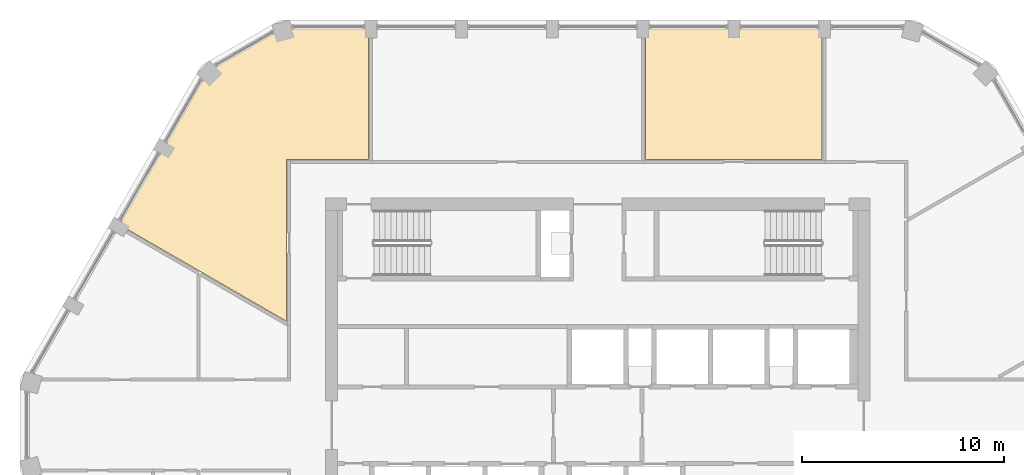
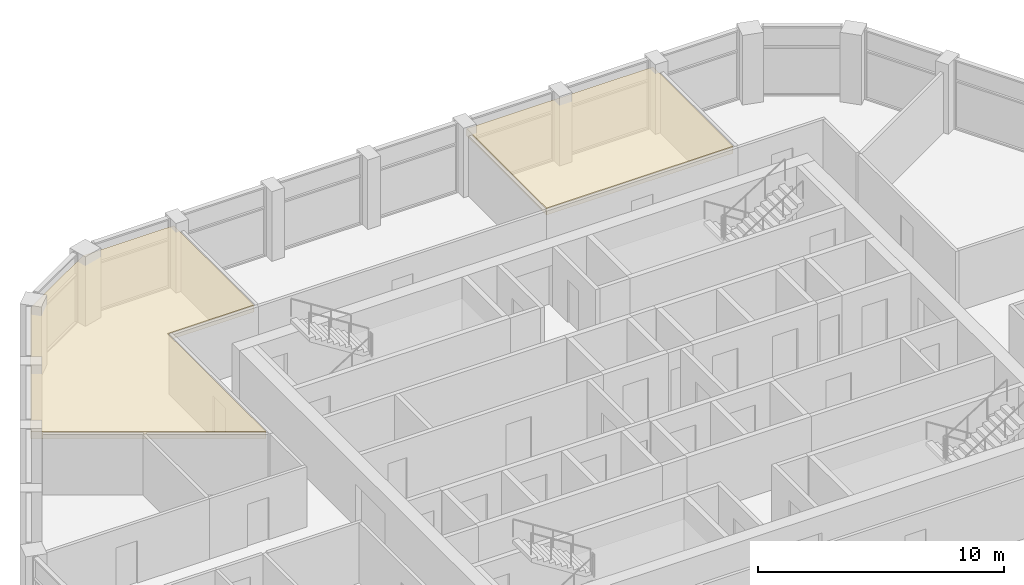
# One storey, part 15 of 15: 2 coverings.
"""IFC4 building model written with IfcOpenShell, lengths in metres."""

from ifc_helpers import new_model, si_unit, direction, frame, origin, place, context, subcontext, project, spatial, polyline, outline, extrude, material, layer, layer_set, type_object, element, save


model = new_model("IFC4")

# Units and contexts
model_context = context("Model", 3, precision=1e-05, world=origin(), true_north=direction((0.0, 1.0)))
body_context = subcontext(model_context, "Body", "Model", "MODEL_VIEW")
ifc_project = project(units=[si_unit("LENGTHUNIT", "METRE"), si_unit("AREAUNIT", "SQUARE_METRE"), si_unit("VOLUMEUNIT", "CUBIC_METRE"), si_unit("PLANEANGLEUNIT", "RADIAN"), si_unit("MASSUNIT", "GRAM", prefix="KILO")], contexts=[model_context])

# Site, building, storey
site_placement = place(None, origin())
site = spatial("IfcSite", under=ifc_project, at=site_placement, CompositionType="ELEMENT")
building_placement = place(site_placement, origin())
building = spatial("IfcBuilding", under=site, at=building_placement, Name="Dhurran Vertical Campus", CompositionType="ELEMENT")
storey_placement = place(building_placement, frame((0.0, 0.0, 306.0)))
storey = spatial("IfcBuildingStorey", under=building, at=storey_placement, Name="L76", CompositionType="ELEMENT", Elevation=306.0)

# Coverings
ifc_material = material(Name="Mineral fibre ceiling tiles on suspended grid")
ifc_layer = layer(ifc_material, 0.35009765625)
ifc_layer_set = layer_set([ifc_layer], Name="Mineral fibre ceiling tiles on suspended grid")
covering_type = type_object("IfcCoveringType", Name="fl-CE-350 suspended ceiling", PredefinedType="CEILING", material=ifc_layer_set)
covering_1_placement = place(storey_placement, frame((0.0, 0.0, 2.64990234375)))
element("IfcCovering", 1, at=covering_1_placement, inside=storey, type_object=covering_type, Name="Ceiling 76-08", PredefinedType="CEILING", context=body_context, shape_type="SweptSolid", body=[
    extrude(outline(polyline([(-23.722900390625, 9.93798828125), (-19.339111328125, 17.531005859375), (-15.637939453125, 19.66796875), (-11.3701171875, 19.66796875), (-11.3701171875, 13.169921875), (-15.419921875, 13.169921875), (-15.419921875, 5.14404296875), (-23.722900390625, 9.93798828125)])), origin(), (0.0, 0.0, 1.0), 0.35009765625),
])
covering_2_placement = place(storey_placement, frame((0.0, 0.0, 2.64990234375)))
element("IfcCovering", 2, at=covering_2_placement, inside=storey, type_object=covering_type, Name="Ceiling 76-13", PredefinedType="CEILING", context=body_context, shape_type="SweptSolid", body=[
    extrude(outline(polyline([(2.3701171875, 19.66796875), (11.1298828125, 19.66796875), (11.1298828125, 13.169921875), (2.3701171875, 13.169921875), (2.3701171875, 19.66796875)])), origin(), (0.0, 0.0, 1.0), 0.35009765625),
])

save(model, "model.ifc")
